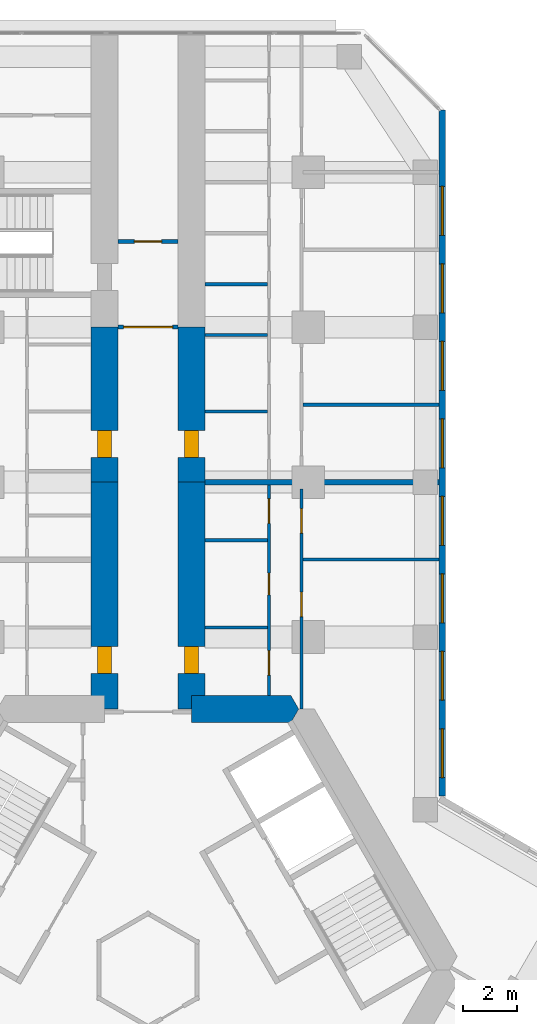
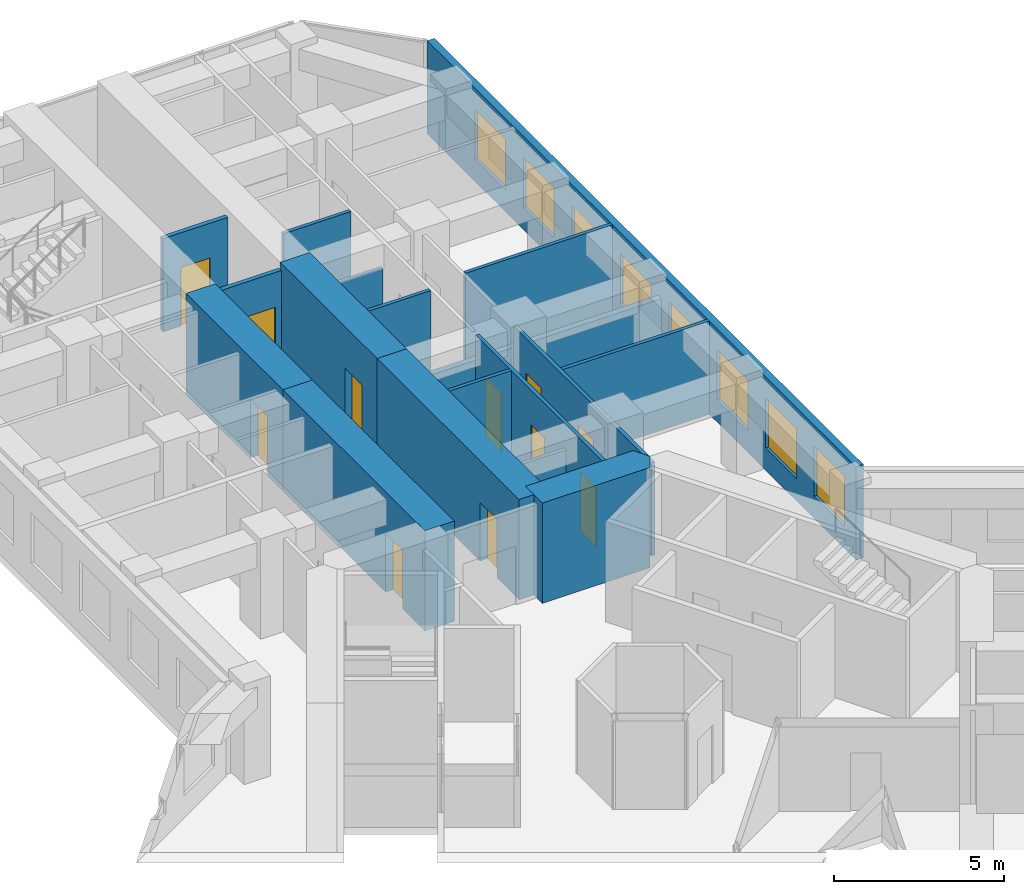
# One storey, part 19 of 22: 18 walls, 11 doors, 8 windows, 19 openings.
"""IFC4 building model written with IfcOpenShell, lengths in metres."""

from ifc_helpers import new_model, si_unit, direction, frame, frame_2d, origin, place, context, subcontext, project, spatial, polyline, rectangle, outline, extrude, material, layer, layer_set, type_object, element, fill, save


model = new_model("IFC4")

# Units and contexts
model_context = context("Model", 3, precision=1e-05, world=origin(), true_north=direction((0.0, 1.0)))
body_context = subcontext(model_context, "Body", "Model", "MODEL_VIEW")
ifc_project = project(units=[si_unit("LENGTHUNIT", "METRE"), si_unit("AREAUNIT", "SQUARE_METRE"), si_unit("VOLUMEUNIT", "CUBIC_METRE"), si_unit("PLANEANGLEUNIT", "RADIAN"), si_unit("MASSUNIT", "GRAM", prefix="KILO")], contexts=[model_context])

# Site, building, storey
site_placement = place(None, origin())
site = spatial("IfcSite", under=ifc_project, at=site_placement, CompositionType="ELEMENT")
building_placement = place(site_placement, origin())
building = spatial("IfcBuilding", under=site, at=building_placement, Name="Kosmar Iwan School Tower", CompositionType="ELEMENT")
storey_placement = place(building_placement, frame((0.0, 0.0, 91.60009765625)))
storey = spatial("IfcBuildingStorey", under=building, at=storey_placement, Name="L22", CompositionType="ELEMENT", Elevation=91.60009765625)

# Wall
ifc_material_1 = material(Name="Concrete C50/60", Category="concrete")
ifc_layer_1 = layer(ifc_material_1, 1.0)
ifc_layer_set_1 = layer_set([ifc_layer_1], Name="Core wall 1000")
wall_type_1 = type_object("IfcWallType", Name="Core wall 1000", PredefinedType="SHEAR", material=ifc_layer_set_1)
wall_1_placement = place(storey_placement, origin())
element("IfcWall", 1, at=wall_1_placement, inside=storey, type_object=wall_type_1, Name="Core wall F090a", PredefinedType="SHEAR", context=body_context, shape_type="SweptSolid", body=[
    extrude(outline(polyline([(1.60009765625, 9.10009765625), (5.25390625, 9.10009765625), (5.54248046875, 9.60009765625), (5.25390625, 10.10009765625), (1.60009765625, 10.10009765625), (1.60009765625, 9.10009765625)])), origin(), (0.0, 0.0, 1.0), 3.599853515625),
])

# Wall, opening, door
ifc_material_2 = material(Name="Concrete C50/60", Category="concrete")
ifc_layer_2 = layer(ifc_material_2, 1.0)
ifc_layer_set_2 = layer_set([ifc_layer_2], Name="Corridor buttress wall 1000")
wall_type_2 = type_object("IfcWallType", Name="Corridor buttress wall 1000", PredefinedType="SHEAR", material=ifc_layer_set_2)
wall_2_placement = place(storey_placement, frame((-1.60009765625, 9.60009765625, 0.0), z_axis=(0.0, 0.0, 1.0), x_axis=(0.0, 1.0, 0.0)))
wall_2 = element("IfcWall", 2, at=wall_2_placement, inside=storey, type_object=wall_type_2, Name="Corridor wall AL", PredefinedType="SHEAR", context=body_context, shape_type="SweptSolid", body=[
    extrude(rectangle(XDim=8.349853515625, YDim=1.0, at=frame_2d((4.1748046875, 0.0))), origin(), (0.0, 0.0, 1.0), 3.599853515625),
])
opening_1_placement = place(wall_2_placement, frame((1.300048828125, 0.0, 0.0)))
opening_1 = element("IfcOpeningElement", 3, at=opening_1_placement, cuts=wall_2, Name="Opening D1", PredefinedType="OPENING", context=body_context, shape_type="SweptSolid", body=[
    extrude(rectangle(XDim=1.0, YDim=2.10009765625, at=frame_2d((0.5, 1.050048828125))), frame((0.0, 0.511962890625, 0.0), z_axis=(0.0, -1.0, 0.0), x_axis=(1.0, 0.0, 0.0)), (0.0, 0.0, 1.0), 1.02392578125),
])
ifc_material_3 = material(Name="Timber fire door in steel frame", Category="steel")
door_type_1 = type_object("IfcDoorType", Name="Flat entrance door 1000x2100", OperationType="SINGLE_SWING_LEFT", PredefinedType="DOOR", material=ifc_material_3)
door_1_placement = place(opening_1_placement, origin())
door_1 = element("IfcDoor", 4, at=door_1_placement, inside=storey, type_object=door_type_1, Name="Flat L22-AL1 entrance door", OperationType="SINGLE_SWING_RIGHT", OverallHeight=2.10009765625, OverallWidth=1.0, PredefinedType="DOOR", context=body_context, shape_type="SweptSolid", body=[
    extrude(rectangle(XDim=1.0, YDim=2.10009765625, at=frame_2d((0.5, 1.050048828125))), frame((0.0, 0.25, 0.0), z_axis=(0.0, -1.0, 0.0), x_axis=(1.0, 0.0, 0.0)), (0.0, 0.0, 1.0), 0.5),
])
fill(opening_1, door_1)

wall_3_placement = place(storey_placement, frame((-1.60009765625, 17.949951171875, 0.0), z_axis=(0.0, 0.0, 1.0), x_axis=(0.0, 1.0, 0.0)))
wall_3 = element("IfcWall", 5, at=wall_3_placement, inside=storey, type_object=wall_type_2, Name="Corridor wall AL bay 2", PredefinedType="SHEAR", context=body_context, shape_type="SweptSolid", body=[
    extrude(rectangle(XDim=5.699951171875, YDim=1.0, at=frame_2d((2.85009765625, 0.0))), origin(), (0.0, 0.0, 1.0), 3.599853515625),
])
opening_2_placement = place(wall_3_placement, frame((0.89990234375, 0.0, 0.0)))
opening_2 = element("IfcOpeningElement", 6, at=opening_2_placement, cuts=wall_3, Name="Opening D1", PredefinedType="OPENING", context=body_context, shape_type="SweptSolid", body=[
    extrude(rectangle(XDim=1.0, YDim=2.10009765625, at=frame_2d((0.5, 1.050048828125))), frame((0.0, 0.511962890625, 0.0), z_axis=(0.0, -1.0, 0.0), x_axis=(1.0, 0.0, 0.0)), (0.0, 0.0, 1.0), 1.02392578125),
])
door_2_placement = place(opening_2_placement, origin())
door_2 = element("IfcDoor", 7, at=door_2_placement, inside=storey, type_object=door_type_1, Name="Flat L22-AL2 entrance door", OperationType="SINGLE_SWING_LEFT", OverallHeight=2.10009765625, OverallWidth=1.0, PredefinedType="DOOR", context=body_context, shape_type="SweptSolid", body=[
    extrude(rectangle(XDim=1.0, YDim=2.10009765625, at=frame_2d((0.5, 1.050048828125))), frame((0.0, 0.25, 0.0), z_axis=(0.0, -1.0, 0.0), x_axis=(1.0, 0.0, 0.0)), (0.0, 0.0, 1.0), 0.5),
])
fill(opening_2, door_2)

wall_4_placement = place(storey_placement, frame((1.60009765625, 9.60009765625, 0.0), z_axis=(0.0, 0.0, 1.0), x_axis=(0.0, 1.0, 0.0)))
wall_4 = element("IfcWall", 8, at=wall_4_placement, inside=storey, type_object=wall_type_2, Name="Corridor wall AR", PredefinedType="SHEAR", context=body_context, shape_type="SweptSolid", body=[
    extrude(rectangle(XDim=8.349853515625, YDim=1.0, at=frame_2d((4.1748046875, 0.0))), origin(), (0.0, 0.0, 1.0), 3.599853515625),
])
opening_3_placement = place(wall_4_placement, frame((1.300048828125, 0.0, 0.0)))
opening_3 = element("IfcOpeningElement", 9, at=opening_3_placement, cuts=wall_4, Name="Opening D1", PredefinedType="OPENING", context=body_context, shape_type="SweptSolid", body=[
    extrude(rectangle(XDim=1.0, YDim=2.10009765625, at=frame_2d((0.5, 1.050048828125))), frame((0.0, 0.511962890625, 0.0), z_axis=(0.0, -1.0, 0.0), x_axis=(1.0, 0.0, 0.0)), (0.0, 0.0, 1.0), 1.02392578125),
])
door_3_placement = place(opening_3_placement, origin())
door_3 = element("IfcDoor", 10, at=door_3_placement, inside=storey, type_object=door_type_1, Name="Flat L22-AR1 entrance door", OperationType="SINGLE_SWING_LEFT", OverallHeight=2.10009765625, OverallWidth=1.0, PredefinedType="DOOR", context=body_context, shape_type="SweptSolid", body=[
    extrude(rectangle(XDim=1.0, YDim=2.10009765625, at=frame_2d((0.5, 1.050048828125))), frame((0.0, 0.25, 0.0), z_axis=(0.0, -1.0, 0.0), x_axis=(1.0, 0.0, 0.0)), (0.0, 0.0, 1.0), 0.5),
])
fill(opening_3, door_3)

wall_5_placement = place(storey_placement, frame((1.60009765625, 17.949951171875, 0.0), z_axis=(0.0, 0.0, 1.0), x_axis=(0.0, 1.0, 0.0)))
wall_5 = element("IfcWall", 11, at=wall_5_placement, inside=storey, type_object=wall_type_2, Name="Corridor wall AR bay 2", PredefinedType="SHEAR", context=body_context, shape_type="SweptSolid", body=[
    extrude(rectangle(XDim=5.699951171875, YDim=1.0, at=frame_2d((2.85009765625, 0.0))), origin(), (0.0, 0.0, 1.0), 3.599853515625),
])
opening_4_placement = place(wall_5_placement, frame((0.89990234375, 0.0, 0.0)))
opening_4 = element("IfcOpeningElement", 12, at=opening_4_placement, cuts=wall_5, Name="Opening D1", PredefinedType="OPENING", context=body_context, shape_type="SweptSolid", body=[
    extrude(rectangle(XDim=1.0, YDim=2.10009765625, at=frame_2d((0.5, 1.050048828125))), frame((0.0, 0.511962890625, 0.0), z_axis=(0.0, -1.0, 0.0), x_axis=(1.0, 0.0, 0.0)), (0.0, 0.0, 1.0), 1.02392578125),
])
door_4_placement = place(opening_4_placement, origin())
door_4 = element("IfcDoor", 13, at=door_4_placement, inside=storey, type_object=door_type_1, Name="Flat L22-AR2 entrance door", OperationType="SINGLE_SWING_LEFT", OverallHeight=2.10009765625, OverallWidth=1.0, PredefinedType="DOOR", context=body_context, shape_type="SweptSolid", body=[
    extrude(rectangle(XDim=1.0, YDim=2.10009765625, at=frame_2d((0.5, 1.050048828125))), frame((0.0, 0.25, 0.0), z_axis=(0.0, -1.0, 0.0), x_axis=(1.0, 0.0, 0.0)), (0.0, 0.0, 1.0), 0.5),
])
fill(opening_4, door_4)

ifc_material_4 = material(Name="Gypsum board on steel studs, fire-rated", Category="steel")
ifc_layer_3 = layer(ifc_material_4, 0.14990234375)
ifc_layer_set_3 = layer_set([ifc_layer_3], Name="Corridor end wall 150")
wall_type_3 = type_object("IfcWallType", Name="Corridor end wall 150", PredefinedType="PARTITIONING", material=ifc_layer_set_3)
wall_6_placement = place(storey_placement, frame((1.10009765625, 26.800048828125, 0.0), z_axis=(0.0, 0.0, 1.0), x_axis=(-1.0, 0.0, 0.0)))
wall_6 = element("IfcWall", 14, at=wall_6_placement, inside=storey, type_object=wall_type_3, Name="Partition L22-A-CE", PredefinedType="PARTITIONING", context=body_context, shape_type="SweptSolid", body=[
    extrude(rectangle(XDim=2.2001953125, YDim=0.14990234375, at=frame_2d((1.10009765625, 0.0))), origin(), (0.0, 0.0, 1.0), 3.349853515625),
])
opening_5_placement = place(wall_6_placement, frame((0.60009765625, 0.0, 0.0)))
opening_5 = element("IfcOpeningElement", 15, at=opening_5_placement, cuts=wall_6, Name="Opening D13", PredefinedType="OPENING", context=body_context, shape_type="SweptSolid", body=[
    extrude(rectangle(XDim=1.0, YDim=2.10009765625, at=frame_2d((0.5, 1.050048828125))), frame((0.0, 0.0869140625, 0.0), z_axis=(0.0, -1.0, 0.0), x_axis=(1.0, 0.0, 0.0)), (0.0, 0.0, 1.0), 0.173828125),
])
ifc_material_5 = material(Name="Timber fire door with vision panel", Category="wood")
door_type_2 = type_object("IfcDoorType", Name="Corridor end door 1000x2100", OperationType="SINGLE_SWING_LEFT", PredefinedType="DOOR", material=ifc_material_5)
door_5_placement = place(opening_5_placement, origin())
door_5 = element("IfcDoor", 16, at=door_5_placement, inside=storey, type_object=door_type_2, Name="Laundry and drying room door L22-A", OperationType="SINGLE_SWING_LEFT", OverallHeight=2.10009765625, OverallWidth=1.0, PredefinedType="DOOR", context=body_context, shape_type="SweptSolid", body=[
    extrude(rectangle(XDim=1.0, YDim=2.10009765625, at=frame_2d((0.5, 1.050048828125))), frame((0.0, 0.02490234375, 0.0), z_axis=(0.0, -1.0, 0.0), x_axis=(1.0, 0.0, 0.0)), (0.0, 0.0, 1.0), 0.050048828125),
])
fill(opening_5, door_5)

wall_7_placement = place(storey_placement, frame((1.10009765625, 23.64990234375, 0.0), z_axis=(0.0, 0.0, 1.0), x_axis=(-1.0, 0.0, 0.0)))
wall_7 = element("IfcWall", 17, at=wall_7_placement, inside=storey, type_object=wall_type_3, Name="Partition L22-A-HW", PredefinedType="PARTITIONING", context=body_context, shape_type="SweptSolid", body=[
    extrude(rectangle(XDim=2.2001953125, YDim=0.14990234375, at=frame_2d((1.10009765625, 0.0))), origin(), (0.0, 0.0, 1.0), 3.349853515625),
])
opening_6_placement = place(wall_7_placement, frame((0.199951171875, 0.0, 0.0)))
opening_6 = element("IfcOpeningElement", 18, at=opening_6_placement, cuts=wall_7, Name="Opening D9", PredefinedType="OPENING", context=body_context, shape_type="SweptSolid", body=[
    extrude(rectangle(XDim=1.800048828125, YDim=2.10009765625, at=frame_2d((0.89990234375, 1.050048828125))), frame((0.0, 0.0869140625, 0.0), z_axis=(0.0, -1.0, 0.0), x_axis=(1.0, 0.0, 0.0)), (0.0, 0.0, 1.0), 0.173828125),
])
ifc_material_6 = material(Name="Steel framed glazed smoke door", Category="steel")
door_type_3 = type_object("IfcDoorType", Name="Corridor smoke door pair 1800x2100", OperationType="DOUBLE_DOOR_DOUBLE_SWING", PredefinedType="DOOR", material=ifc_material_6)
door_6_placement = place(opening_6_placement, origin())
door_6 = element("IfcDoor", 19, at=door_6_placement, inside=storey, type_object=door_type_3, Name="Entrance vestibule smoke doors L22-A", OperationType="DOUBLE_DOOR_DOUBLE_SWING", OverallHeight=2.10009765625, OverallWidth=1.800048828125, PredefinedType="DOOR", context=body_context, shape_type="SweptSolid", body=[
    extrude(rectangle(XDim=1.800048828125, YDim=2.10009765625, at=frame_2d((0.89990234375, 1.050048828125))), frame((0.0, 0.02490234375, 0.0), z_axis=(0.0, -1.0, 0.0), x_axis=(1.0, 0.0, 0.0)), (0.0, 0.0, 1.0), 0.050048828125),
])
fill(opening_6, door_6)

# Wall, openings, doors
ifc_material_7 = material(Name="Gypsum board on steel studs", Category="steel")
ifc_layer_4 = layer(ifc_material_7, 0.1201171875)
ifc_layer_set_4 = layer_set([ifc_layer_4], Name="Dwelling partition 120")
wall_type_4 = type_object("IfcWallType", Name="Dwelling partition 120", PredefinedType="PARTITIONING", material=ifc_layer_set_4)
wall_8_placement = place(storey_placement, frame((4.449951171875, 10.10009765625, 0.0), z_axis=(0.0, 0.0, 1.0), x_axis=(0.0, 1.0, 0.0)))
wall_8 = element("IfcWall", 20, at=wall_8_placement, inside=storey, type_object=wall_type_4, Name="Partition L22-AR1-W1", PredefinedType="PARTITIONING", context=body_context, shape_type="SweptSolid", body=[
    extrude(rectangle(XDim=7.75, YDim=0.1201171875, at=frame_2d((3.875, 0.0))), origin(), (0.0, 0.0, 1.0), 3.349853515625),
])
opening_7_placement = place(wall_8_placement, frame((0.75, 0.0, 0.0)))
opening_7 = element("IfcOpeningElement", 21, at=opening_7_placement, cuts=wall_8, Name="Opening D2", PredefinedType="OPENING", context=body_context, shape_type="SweptSolid", body=[
    extrude(rectangle(XDim=0.89990234375, YDim=2.10009765625, at=frame_2d((0.449951171875, 1.050048828125))), frame((0.0, 0.072021484375, 0.0), z_axis=(0.0, -1.0, 0.0), x_axis=(1.0, 0.0, 0.0)), (0.0, 0.0, 1.0), 0.14404296875),
])
opening_8_placement = place(wall_8_placement, frame((3.705078125, 0.0, 0.0)))
opening_8 = element("IfcOpeningElement", 22, at=opening_8_placement, cuts=wall_8, Name="Opening D3", PredefinedType="OPENING", context=body_context, shape_type="SweptSolid", body=[
    extrude(rectangle(XDim=0.800048828125, YDim=2.10009765625, at=frame_2d((0.39990234375, 1.050048828125))), frame((0.0, 0.072021484375, 0.0), z_axis=(0.0, -1.0, 0.0), x_axis=(1.0, 0.0, 0.0)), (0.0, 0.0, 1.0), 0.14404296875),
])
opening_9_placement = place(wall_8_placement, frame((6.330078125, 0.0, 0.0)))
opening_9 = element("IfcOpeningElement", 23, at=opening_9_placement, cuts=wall_8, Name="Opening D2", PredefinedType="OPENING", context=body_context, shape_type="SweptSolid", body=[
    extrude(rectangle(XDim=0.89990234375, YDim=2.10009765625, at=frame_2d((0.449951171875, 1.050048828125))), frame((0.0, 0.072021484375, 0.0), z_axis=(0.0, -1.0, 0.0), x_axis=(1.0, 0.0, 0.0)), (0.0, 0.0, 1.0), 0.14404296875),
])
ifc_material_8 = material(Name="Timber door in timber frame", Category="wood")
door_type_4 = type_object("IfcDoorType", Name="Internal door 900x2100", OperationType="SINGLE_SWING_LEFT", PredefinedType="DOOR", material=ifc_material_8)
door_7_placement = place(opening_7_placement, origin())
door_7 = element("IfcDoor", 24, at=door_7_placement, inside=storey, type_object=door_type_4, Name="Entrance hall door L22-AR1-S1", OperationType="SINGLE_SWING_LEFT", OverallHeight=2.10009765625, OverallWidth=0.89990234375, PredefinedType="DOOR", context=body_context, shape_type="SweptSolid", body=[
    extrude(rectangle(XDim=0.89990234375, YDim=2.10009765625, at=frame_2d((0.449951171875, 1.050048828125))), frame((0.0, 0.02490234375, 0.0), z_axis=(0.0, -1.0, 0.0), x_axis=(1.0, 0.0, 0.0)), (0.0, 0.0, 1.0), 0.050048828125),
])
fill(opening_7, door_7)
door_8_placement = place(opening_9_placement, origin())
door_8 = element("IfcDoor", 25, at=door_8_placement, inside=storey, type_object=door_type_4, Name="Pantry door L22-AR1-S3", OperationType="SINGLE_SWING_RIGHT", OverallHeight=2.10009765625, OverallWidth=0.89990234375, PredefinedType="DOOR", context=body_context, shape_type="SweptSolid", body=[
    extrude(rectangle(XDim=0.89990234375, YDim=2.10009765625, at=frame_2d((0.449951171875, 1.050048828125))), frame((0.0, 0.02490234375, 0.0), z_axis=(0.0, -1.0, 0.0), x_axis=(1.0, 0.0, 0.0)), (0.0, 0.0, 1.0), 0.050048828125),
])
fill(opening_9, door_8)
ifc_material_9 = material(Name="Timber door in timber frame", Category="wood")
door_type_5 = type_object("IfcDoorType", Name="Sanitary room door 800x2100", OperationType="SINGLE_SWING_LEFT", PredefinedType="DOOR", material=ifc_material_9)
door_9_placement = place(opening_8_placement, origin())
door_9 = element("IfcDoor", 26, at=door_9_placement, inside=storey, type_object=door_type_5, Name="Bathroom door L22-AR1-S2", OperationType="SINGLE_SWING_RIGHT", OverallHeight=2.10009765625, OverallWidth=0.800048828125, PredefinedType="DOOR", context=body_context, shape_type="SweptSolid", body=[
    extrude(rectangle(XDim=0.800048828125, YDim=2.10009765625, at=frame_2d((0.39990234375, 1.050048828125))), frame((0.0, 0.02490234375, 0.0), z_axis=(0.0, -1.0, 0.0), x_axis=(1.0, 0.0, 0.0)), (0.0, 0.0, 1.0), 0.050048828125),
])
fill(opening_8, door_9)

wall_9_placement = place(storey_placement, frame((5.64990234375, 9.60009765625, 0.0), z_axis=(0.0, 0.0, 1.0), x_axis=(0.0, 1.0, 0.0)))
wall_9 = element("IfcWall", 27, at=wall_9_placement, inside=storey, type_object=wall_type_4, Name="Partition L22-AR1-W2", PredefinedType="PARTITIONING", context=body_context, shape_type="SweptSolid", body=[
    extrude(rectangle(XDim=8.099853515625, YDim=0.1201171875, at=frame_2d((4.0498046875, 0.0))), origin(), (0.0, 0.0, 1.0), 3.349853515625),
])
opening_10_placement = place(wall_9_placement, frame((3.39990234375, 0.0, 0.0)))
opening_10 = element("IfcOpeningElement", 28, at=opening_10_placement, cuts=wall_9, Name="Opening D2", PredefinedType="OPENING", context=body_context, shape_type="SweptSolid", body=[
    extrude(rectangle(XDim=0.89990234375, YDim=2.10009765625, at=frame_2d((0.449951171875, 1.050048828125))), frame((0.0, 0.072021484375, 0.0), z_axis=(0.0, -1.0, 0.0), x_axis=(1.0, 0.0, 0.0)), (0.0, 0.0, 1.0), 0.14404296875),
])
opening_11_placement = place(wall_9_placement, frame((6.47509765625, 0.0, 0.0)))
opening_11 = element("IfcOpeningElement", 29, at=opening_11_placement, cuts=wall_9, Name="Opening D2", PredefinedType="OPENING", context=body_context, shape_type="SweptSolid", body=[
    extrude(rectangle(XDim=0.89990234375, YDim=2.10009765625, at=frame_2d((0.449951171875, 1.050048828125))), frame((0.0, 0.072021484375, 0.0), z_axis=(0.0, -1.0, 0.0), x_axis=(1.0, 0.0, 0.0)), (0.0, 0.0, 1.0), 0.14404296875),
])
door_10_placement = place(opening_10_placement, origin())
door_10 = element("IfcDoor", 30, at=door_10_placement, inside=storey, type_object=door_type_4, Name="Living room and kitchen door L22-AR1-F1", OperationType="SINGLE_SWING_LEFT", OverallHeight=2.10009765625, OverallWidth=0.89990234375, PredefinedType="DOOR", context=body_context, shape_type="SweptSolid", body=[
    extrude(rectangle(XDim=0.89990234375, YDim=2.10009765625, at=frame_2d((0.449951171875, 1.050048828125))), frame((0.0, 0.02490234375, 0.0), z_axis=(0.0, -1.0, 0.0), x_axis=(1.0, 0.0, 0.0)), (0.0, 0.0, 1.0), 0.050048828125),
])
fill(opening_10, door_10)
door_11_placement = place(opening_11_placement, origin())
door_11 = element("IfcDoor", 31, at=door_11_placement, inside=storey, type_object=door_type_4, Name="Bedroom 1 door L22-AR1-F2", OperationType="SINGLE_SWING_RIGHT", OverallHeight=2.10009765625, OverallWidth=0.89990234375, PredefinedType="DOOR", context=body_context, shape_type="SweptSolid", body=[
    extrude(rectangle(XDim=0.89990234375, YDim=2.10009765625, at=frame_2d((0.449951171875, 1.050048828125))), frame((0.0, 0.02490234375, 0.0), z_axis=(0.0, -1.0, 0.0), x_axis=(1.0, 0.0, 0.0)), (0.0, 0.0, 1.0), 0.050048828125),
])
fill(opening_11, door_11)

# Walls
wall_10_placement = place(storey_placement, frame((5.7099609375, 15.10009765625, 0.0), z_axis=(0.0, 0.0, 1.0), x_axis=(1.0, 0.0, 0.0)))
element("IfcWall", 32, at=wall_10_placement, inside=storey, type_object=wall_type_4, Name="Partition L22-AR1-X1", PredefinedType="PARTITIONING", context=body_context, shape_type="SweptSolid", body=[
    extrude(rectangle(XDim=4.989990234375, YDim=0.1201171875, at=frame_2d((2.4951171875, 0.0))), origin(), (0.0, 0.0, 1.0), 3.349853515625),
])
wall_11_placement = place(storey_placement, frame((2.10009765625, 12.60009765625, 0.0), z_axis=(0.0, 0.0, 1.0), x_axis=(1.0, 0.0, 0.0)))
element("IfcWall", 33, at=wall_11_placement, inside=storey, type_object=wall_type_4, Name="Partition L22-AR1-Y1", PredefinedType="PARTITIONING", context=body_context, shape_type="SweptSolid", body=[
    extrude(rectangle(XDim=2.289794921875, YDim=0.1201171875, at=frame_2d((1.14501953125, 0.0))), origin(), (0.0, 0.0, 1.0), 2.449951171875),
])
wall_12_placement = place(storey_placement, frame((2.10009765625, 15.81005859375, 0.0), z_axis=(0.0, 0.0, 1.0), x_axis=(1.0, 0.0, 0.0)))
element("IfcWall", 34, at=wall_12_placement, inside=storey, type_object=wall_type_4, Name="Partition L22-AR1-Y2", PredefinedType="PARTITIONING", context=body_context, shape_type="SweptSolid", body=[
    extrude(rectangle(XDim=2.289794921875, YDim=0.1201171875, at=frame_2d((1.14501953125, 0.0))), origin(), (0.0, 0.0, 1.0), 3.349853515625),
])
wall_13_placement = place(storey_placement, frame((5.7099609375, 20.800048828125, 0.0), z_axis=(0.0, 0.0, 1.0), x_axis=(1.0, 0.0, 0.0)))
element("IfcWall", 35, at=wall_13_placement, inside=storey, type_object=wall_type_4, Name="Partition L22-AR2-X1", PredefinedType="PARTITIONING", context=body_context, shape_type="SweptSolid", body=[
    extrude(rectangle(XDim=4.989990234375, YDim=0.1201171875, at=frame_2d((2.4951171875, 0.0))), origin(), (0.0, 0.0, 1.0), 3.349853515625),
])
wall_14_placement = place(storey_placement, frame((2.10009765625, 20.550048828125, 0.0), z_axis=(0.0, 0.0, 1.0), x_axis=(1.0, 0.0, 0.0)))
element("IfcWall", 36, at=wall_14_placement, inside=storey, type_object=wall_type_4, Name="Partition L22-AR2-Y1", PredefinedType="PARTITIONING", context=body_context, shape_type="SweptSolid", body=[
    extrude(rectangle(XDim=2.289794921875, YDim=0.1201171875, at=frame_2d((1.14501953125, 0.0))), origin(), (0.0, 0.0, 1.0), 3.349853515625),
])
wall_15_placement = place(storey_placement, frame((2.10009765625, 23.360107421875, 0.0), z_axis=(0.0, 0.0, 1.0), x_axis=(1.0, 0.0, 0.0)))
element("IfcWall", 37, at=wall_15_placement, inside=storey, type_object=wall_type_4, Name="Partition L22-AR2-Y2", PredefinedType="PARTITIONING", context=body_context, shape_type="SweptSolid", body=[
    extrude(rectangle(XDim=2.289794921875, YDim=0.1201171875, at=frame_2d((1.14501953125, 0.0))), origin(), (0.0, 0.0, 1.0), 2.449951171875),
])
wall_16_placement = place(storey_placement, frame((2.10009765625, 25.2333984375, 0.0), z_axis=(0.0, 0.0, 1.0), x_axis=(1.0, 0.0, 0.0)))
element("IfcWall", 38, at=wall_16_placement, inside=storey, type_object=wall_type_4, Name="Partition L22-AR2-Y3", PredefinedType="PARTITIONING", context=body_context, shape_type="SweptSolid", body=[
    extrude(rectangle(XDim=2.289794921875, YDim=0.1201171875, at=frame_2d((1.14501953125, 0.0))), origin(), (0.0, 0.0, 1.0), 3.349853515625),
])

# Wall, openings, windows
ifc_material_10 = material(Name="Black aluminium rainscreen on insulated framing", Category="aluminium")
ifc_layer_5 = layer(ifc_material_10, 0.25)
ifc_layer_set_5 = layer_set([ifc_layer_5], Name="External wall rainscreen 250")
wall_type_5 = type_object("IfcWallType", Name="External wall rainscreen 250", PredefinedType="SOLIDWALL", material=ifc_layer_set_5)
wall_17_placement = place(storey_placement, frame((10.824951171875, 6.408935546875, 0.0), z_axis=(0.0, 0.0, 1.0), x_axis=(0.0, 1.0, 0.0)))
wall_17 = element("IfcWall", 39, at=wall_17_placement, inside=storey, type_object=wall_type_5, Name="External wall AR L22", PredefinedType="SOLIDWALL", context=body_context, shape_type="SweptSolid", body=[
    extrude(rectangle(XDim=25.226318359375, YDim=0.25, at=frame_2d((12.61328125, 0.0))), origin(), (0.0, 0.0, 1.0), 3.349853515625),
])
opening_12_placement = place(wall_17_placement, frame((0.666015625, 0.0, 0.800048828125)))
opening_12 = element("IfcOpeningElement", 40, at=opening_12_placement, cuts=wall_17, Name="Opening W1", PredefinedType="OPENING", context=body_context, shape_type="SweptSolid", body=[
    extrude(rectangle(XDim=1.800048828125, YDim=1.800048828125, at=frame_2d((0.89990234375, 0.89990234375))), frame((0.0, 0.136962890625, 0.0), z_axis=(0.0, -1.0, 0.0), x_axis=(1.0, 0.0, 0.0)), (0.0, 0.0, 1.0), 0.27392578125),
])
opening_13_placement = place(wall_17_placement, frame((3.51611328125, 0.0, 0.800048828125)))
opening_13 = element("IfcOpeningElement", 41, at=opening_13_placement, cuts=wall_17, Name="Opening W1", PredefinedType="OPENING", context=body_context, shape_type="SweptSolid", body=[
    extrude(rectangle(XDim=1.800048828125, YDim=1.800048828125, at=frame_2d((0.89990234375, 0.89990234375))), frame((0.0, 0.136962890625, 0.0), z_axis=(0.0, -1.0, 0.0), x_axis=(1.0, 0.0, 0.0)), (0.0, 0.0, 1.0), 0.27392578125),
])
opening_14_placement = place(wall_17_placement, frame((6.365966796875, 0.0, 0.800048828125)))
opening_14 = element("IfcOpeningElement", 42, at=opening_14_placement, cuts=wall_17, Name="Opening W1", PredefinedType="OPENING", context=body_context, shape_type="SweptSolid", body=[
    extrude(rectangle(XDim=1.800048828125, YDim=1.800048828125, at=frame_2d((0.89990234375, 0.89990234375))), frame((0.0, 0.136962890625, 0.0), z_axis=(0.0, -1.0, 0.0), x_axis=(1.0, 0.0, 0.0)), (0.0, 0.0, 1.0), 0.27392578125),
])
opening_15_placement = place(wall_17_placement, frame((9.216064453125, 0.0, 0.800048828125)))
opening_15 = element("IfcOpeningElement", 43, at=opening_15_placement, cuts=wall_17, Name="Opening W1", PredefinedType="OPENING", context=body_context, shape_type="SweptSolid", body=[
    extrude(rectangle(XDim=1.800048828125, YDim=1.800048828125, at=frame_2d((0.89990234375, 0.89990234375))), frame((0.0, 0.136962890625, 0.0), z_axis=(0.0, -1.0, 0.0), x_axis=(1.0, 0.0, 0.0)), (0.0, 0.0, 1.0), 0.27392578125),
])
opening_16_placement = place(wall_17_placement, frame((12.06591796875, 0.0, 0.800048828125)))
opening_16 = element("IfcOpeningElement", 44, at=opening_16_placement, cuts=wall_17, Name="Opening W1", PredefinedType="OPENING", context=body_context, shape_type="SweptSolid", body=[
    extrude(rectangle(XDim=1.800048828125, YDim=1.800048828125, at=frame_2d((0.89990234375, 0.89990234375))), frame((0.0, 0.136962890625, 0.0), z_axis=(0.0, -1.0, 0.0), x_axis=(1.0, 0.0, 0.0)), (0.0, 0.0, 1.0), 0.27392578125),
])
opening_17_placement = place(wall_17_placement, frame((14.916015625, 0.0, 0.800048828125)))
opening_17 = element("IfcOpeningElement", 45, at=opening_17_placement, cuts=wall_17, Name="Opening W1", PredefinedType="OPENING", context=body_context, shape_type="SweptSolid", body=[
    extrude(rectangle(XDim=1.800048828125, YDim=1.800048828125, at=frame_2d((0.89990234375, 0.89990234375))), frame((0.0, 0.136962890625, 0.0), z_axis=(0.0, -1.0, 0.0), x_axis=(1.0, 0.0, 0.0)), (0.0, 0.0, 1.0), 0.27392578125),
])
opening_18_placement = place(wall_17_placement, frame((17.76611328125, 0.0, 0.800048828125)))
opening_18 = element("IfcOpeningElement", 46, at=opening_18_placement, cuts=wall_17, Name="Opening W1", PredefinedType="OPENING", context=body_context, shape_type="SweptSolid", body=[
    extrude(rectangle(XDim=1.800048828125, YDim=1.800048828125, at=frame_2d((0.89990234375, 0.89990234375))), frame((0.0, 0.136962890625, 0.0), z_axis=(0.0, -1.0, 0.0), x_axis=(1.0, 0.0, 0.0)), (0.0, 0.0, 1.0), 0.27392578125),
])
opening_19_placement = place(wall_17_placement, frame((20.615966796875, 0.0, 0.800048828125)))
opening_19 = element("IfcOpeningElement", 47, at=opening_19_placement, cuts=wall_17, Name="Opening W1", PredefinedType="OPENING", context=body_context, shape_type="SweptSolid", body=[
    extrude(rectangle(XDim=1.800048828125, YDim=1.800048828125, at=frame_2d((0.89990234375, 0.89990234375))), frame((0.0, 0.136962890625, 0.0), z_axis=(0.0, -1.0, 0.0), x_axis=(1.0, 0.0, 0.0)), (0.0, 0.0, 1.0), 0.27392578125),
])
ifc_material_11 = material(Name="Black aluminium frame with dark triple glazing", Category="aluminium")
window_type = type_object("IfcWindowType", Name="Window 1800x1800", PartitioningType="SINGLE_PANEL", PredefinedType="WINDOW", material=ifc_material_11)
window_1_placement = place(opening_12_placement, origin())
window_1 = element("IfcWindow", 48, at=window_1_placement, inside=storey, type_object=window_type, Name="Window AR L22 -1", OverallHeight=1.800048828125, OverallWidth=1.800048828125, PartitioningType="SINGLE_PANEL", PredefinedType="WINDOW", context=body_context, shape_type="SweptSolid", body=[
    extrude(rectangle(XDim=1.800048828125, YDim=1.800048828125, at=frame_2d((0.89990234375, 0.89990234375))), frame((0.0, 0.030029296875, 0.0), z_axis=(0.0, -1.0, 0.0), x_axis=(1.0, 0.0, 0.0)), (0.0, 0.0, 1.0), 0.06005859375),
])
fill(opening_12, window_1)
window_2_placement = place(opening_13_placement, origin())
window_2 = element("IfcWindow", 49, at=window_2_placement, inside=storey, type_object=window_type, Name="Window AR L22 0", OverallHeight=1.800048828125, OverallWidth=1.800048828125, PartitioningType="SINGLE_PANEL", PredefinedType="WINDOW", context=body_context, shape_type="SweptSolid", body=[
    extrude(rectangle(XDim=1.800048828125, YDim=1.800048828125, at=frame_2d((0.89990234375, 0.89990234375))), frame((0.0, 0.030029296875, 0.0), z_axis=(0.0, -1.0, 0.0), x_axis=(1.0, 0.0, 0.0)), (0.0, 0.0, 1.0), 0.06005859375),
])
fill(opening_13, window_2)
window_3_placement = place(opening_14_placement, origin())
window_3 = element("IfcWindow", 50, at=window_3_placement, inside=storey, type_object=window_type, Name="Window AR L22 1", OverallHeight=1.800048828125, OverallWidth=1.800048828125, PartitioningType="SINGLE_PANEL", PredefinedType="WINDOW", context=body_context, shape_type="SweptSolid", body=[
    extrude(rectangle(XDim=1.800048828125, YDim=1.800048828125, at=frame_2d((0.89990234375, 0.89990234375))), frame((0.0, 0.030029296875, 0.0), z_axis=(0.0, -1.0, 0.0), x_axis=(1.0, 0.0, 0.0)), (0.0, 0.0, 1.0), 0.06005859375),
])
fill(opening_14, window_3)
window_4_placement = place(opening_15_placement, origin())
window_4 = element("IfcWindow", 51, at=window_4_placement, inside=storey, type_object=window_type, Name="Window AR L22 2", OverallHeight=1.800048828125, OverallWidth=1.800048828125, PartitioningType="SINGLE_PANEL", PredefinedType="WINDOW", context=body_context, shape_type="SweptSolid", body=[
    extrude(rectangle(XDim=1.800048828125, YDim=1.800048828125, at=frame_2d((0.89990234375, 0.89990234375))), frame((0.0, 0.030029296875, 0.0), z_axis=(0.0, -1.0, 0.0), x_axis=(1.0, 0.0, 0.0)), (0.0, 0.0, 1.0), 0.06005859375),
])
fill(opening_15, window_4)
window_5_placement = place(opening_16_placement, origin())
window_5 = element("IfcWindow", 52, at=window_5_placement, inside=storey, type_object=window_type, Name="Window AR L22 3", OverallHeight=1.800048828125, OverallWidth=1.800048828125, PartitioningType="SINGLE_PANEL", PredefinedType="WINDOW", context=body_context, shape_type="SweptSolid", body=[
    extrude(rectangle(XDim=1.800048828125, YDim=1.800048828125, at=frame_2d((0.89990234375, 0.89990234375))), frame((0.0, 0.030029296875, 0.0), z_axis=(0.0, -1.0, 0.0), x_axis=(1.0, 0.0, 0.0)), (0.0, 0.0, 1.0), 0.06005859375),
])
fill(opening_16, window_5)
window_6_placement = place(opening_17_placement, origin())
window_6 = element("IfcWindow", 53, at=window_6_placement, inside=storey, type_object=window_type, Name="Window AR L22 4", OverallHeight=1.800048828125, OverallWidth=1.800048828125, PartitioningType="SINGLE_PANEL", PredefinedType="WINDOW", context=body_context, shape_type="SweptSolid", body=[
    extrude(rectangle(XDim=1.800048828125, YDim=1.800048828125, at=frame_2d((0.89990234375, 0.89990234375))), frame((0.0, 0.030029296875, 0.0), z_axis=(0.0, -1.0, 0.0), x_axis=(1.0, 0.0, 0.0)), (0.0, 0.0, 1.0), 0.06005859375),
])
fill(opening_17, window_6)
window_7_placement = place(opening_18_placement, origin())
window_7 = element("IfcWindow", 54, at=window_7_placement, inside=storey, type_object=window_type, Name="Window AR L22 5", OverallHeight=1.800048828125, OverallWidth=1.800048828125, PartitioningType="SINGLE_PANEL", PredefinedType="WINDOW", context=body_context, shape_type="SweptSolid", body=[
    extrude(rectangle(XDim=1.800048828125, YDim=1.800048828125, at=frame_2d((0.89990234375, 0.89990234375))), frame((0.0, 0.030029296875, 0.0), z_axis=(0.0, -1.0, 0.0), x_axis=(1.0, 0.0, 0.0)), (0.0, 0.0, 1.0), 0.06005859375),
])
fill(opening_18, window_7)
window_8_placement = place(opening_19_placement, origin())
window_8 = element("IfcWindow", 55, at=window_8_placement, inside=storey, type_object=window_type, Name="Window AR L22 6", OverallHeight=1.800048828125, OverallWidth=1.800048828125, PartitioningType="SINGLE_PANEL", PredefinedType="WINDOW", context=body_context, shape_type="SweptSolid", body=[
    extrude(rectangle(XDim=1.800048828125, YDim=1.800048828125, at=frame_2d((0.89990234375, 0.89990234375))), frame((0.0, 0.030029296875, 0.0), z_axis=(0.0, -1.0, 0.0), x_axis=(1.0, 0.0, 0.0)), (0.0, 0.0, 1.0), 0.06005859375),
])
fill(opening_19, window_8)

# Wall
ifc_material_12 = material(Name="Concrete block masonry", Category="masonry")
ifc_layer_6 = layer(ifc_material_12, 0.199951171875)
ifc_layer_set_6 = layer_set([ifc_layer_6], Name="Party wall 200")
wall_type_6 = type_object("IfcWallType", Name="Party wall 200", PredefinedType="PARTITIONING", material=ifc_layer_set_6)
wall_18_placement = place(storey_placement, frame((2.10009765625, 17.949951171875, 0.0), z_axis=(0.0, 0.0, 1.0), x_axis=(1.0, 0.0, 0.0)))
element("IfcWall", 56, at=wall_18_placement, inside=storey, type_object=wall_type_6, Name="Partition L22-AR2-PW", PredefinedType="PARTITIONING", context=body_context, shape_type="SweptSolid", body=[
    extrude(rectangle(XDim=8.599853515625, YDim=0.199951171875, at=frame_2d((4.2998046875, 0.0))), origin(), (0.0, 0.0, 1.0), 2.449951171875),
])

save(model, "model.ifc")
